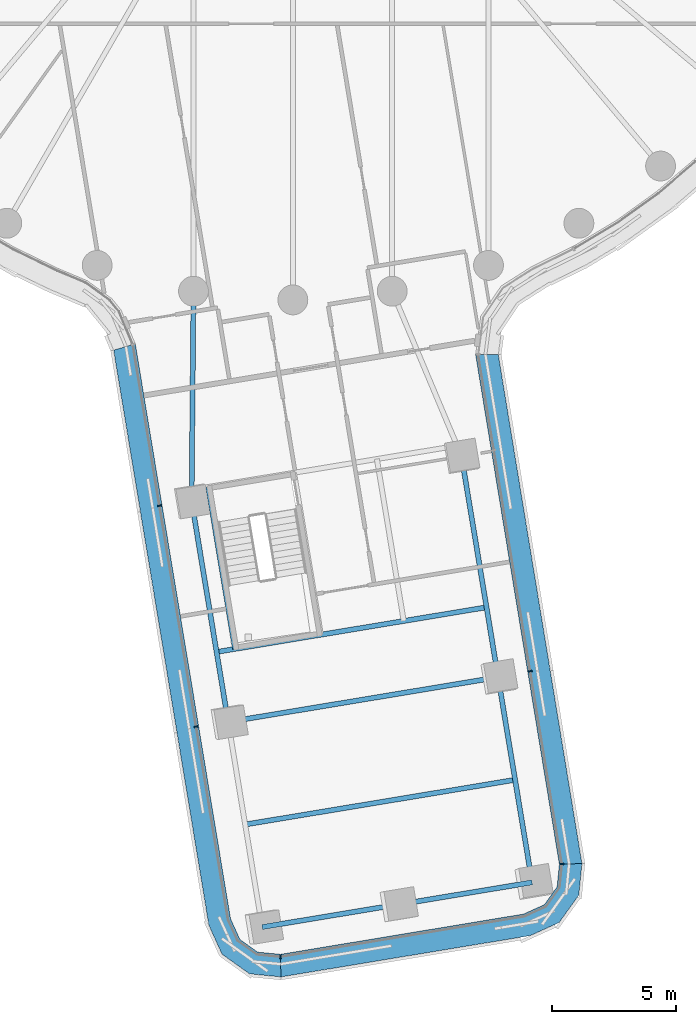
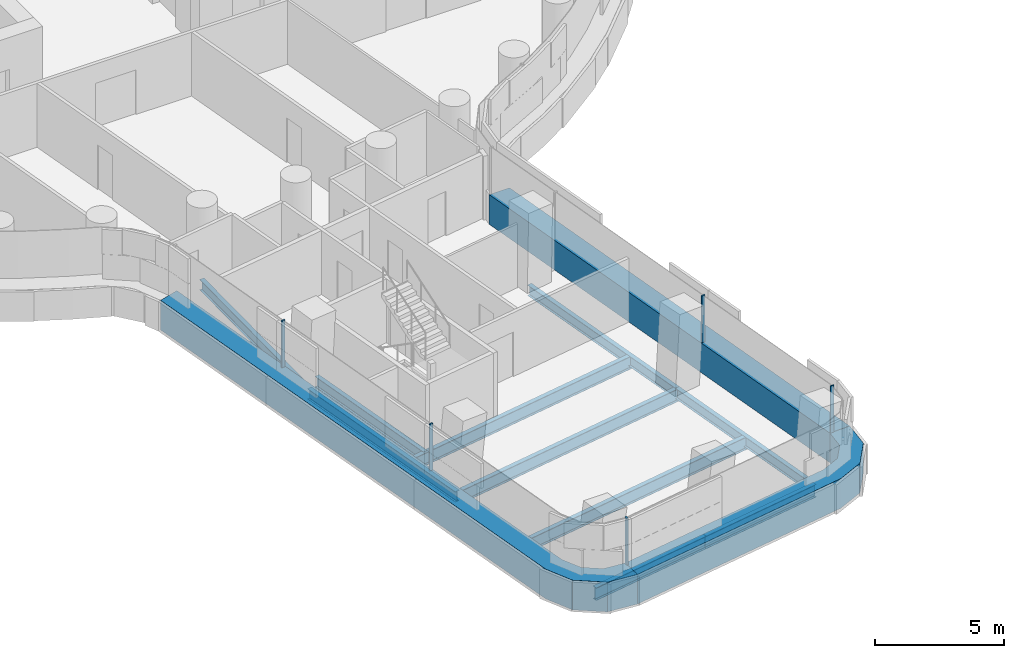
# One storey, part 4 of 32: 10 beams, 8 members, 3 elements without a shape of their own.
"""IFC4 building model written with IfcOpenShell, lengths in metres."""

import ifcopenshell
import ifcopenshell.guid

model = None  # the IFC model being written
_history = None  # IfcOwnerHistory: only IFC2X3 demands one
_inside = {}  # id of a spatial element -> (the spatial element, [elements in it])
_under = {}  # id of a project, library or spatial element -> (it, [spatial elements below it])
_declared = {}  # id of a project -> (the project, [libraries it declares])
_typed = {}  # id of a type object -> (the type object, [elements of that type])
_made_of = {}  # id of a material, layer set ... -> (it, [elements and type objects made of it])


def new_model(schema):
    """Start an empty IFC model of exactly this schema.

    Asked for "IFC4X3", IfcOpenShell would pick the latest addendum, in which some entities
    have other attributes; the version numbers below select the first issue.
    IFC2X3 requires an IfcOwnerHistory on every rooted entity: one is made here for all.
    """
    global model, _history
    if schema == "IFC4X3":
        model = ifcopenshell.file(schema_version=(4, 3, 0, 0))
    else:
        model = ifcopenshell.file(schema=schema)
    _inside.clear()
    _under.clear()
    _declared.clear()
    _typed.clear()
    _made_of.clear()
    _history = None
    if model.schema == "IFC2X3":
        org = make("IfcOrganization", Name="unknown")
        user = make(
            "IfcPersonAndOrganization",
            ThePerson=make("IfcPerson", FamilyName="unknown"),
            TheOrganization=org,
        )
        app = make(
            "IfcApplication",
            ApplicationDeveloper=org,
            Version="unknown",
            ApplicationFullName="unknown",
            ApplicationIdentifier="unknown",
        )
        _history = make(
            "IfcOwnerHistory",
            OwningUser=user,
            OwningApplication=app,
            ChangeAction="ADDED",
            CreationDate=0,
        )
    return model


def make(cls, **values):
    """One entity of the class cls with the attributes given. An attribute that is None is left unset."""
    return model.create_entity(
        cls, **{name: value for name, value in values.items() if value is not None}
    )


def rooted(cls, **values):
    """An entity with a GlobalId (a new one), such as an element, a storey or a relation."""
    return make(cls, GlobalId=ifcopenshell.guid.new(), OwnerHistory=_history, **values)


def si_unit(unit_type, name, prefix=None):
    """IfcSIUnit, for example si_unit("LENGTHUNIT", "METRE", prefix="MILLI")."""
    return make("IfcSIUnit", UnitType=unit_type, Prefix=prefix, Name=name)


def assignment(units):
    """IfcUnitAssignment: the units of a project."""
    return None if units is None else make("IfcUnitAssignment", Units=units)


def point(xyz):
    """IfcCartesianPoint."""
    return None if xyz is None else make("IfcCartesianPoint", Coordinates=xyz)


def direction(xyz):
    """IfcDirection."""
    return None if xyz is None else make("IfcDirection", DirectionRatios=xyz)


def frame(location, z_axis=None, x_axis=None):
    """IfcAxis2Placement3D, a coordinate frame: its origin and axes. An axis left out is left unset."""
    return make(
        "IfcAxis2Placement3D",
        Location=point(location),
        Axis=direction(z_axis),
        RefDirection=direction(x_axis),
    )


def frame_2d(location, x_axis=None):
    """IfcAxis2Placement2D, a coordinate frame in the plane: its origin and x axis."""
    return make(
        "IfcAxis2Placement2D", Location=point(location), RefDirection=direction(x_axis)
    )


def origin():
    """The frame at (0, 0, 0) with its axes left unset."""
    return frame((0.0, 0.0, 0.0))


def origin_2d():
    """The frame at (0, 0) in the plane with its x axis left unset."""
    return frame_2d((0.0, 0.0))


def place(relative_to, where):
    """IfcLocalPlacement: puts the frame where relative to a parent placement (None: the world)."""
    return make(
        "IfcLocalPlacement", PlacementRelTo=relative_to, RelativePlacement=where
    )


def context(
    kind, dimensions, precision=None, world=None, true_north=None, identifier=None
):
    """IfcGeometricRepresentationContext, for example the 3D "Model" context."""
    return make(
        "IfcGeometricRepresentationContext",
        ContextIdentifier=identifier,
        ContextType=kind,
        CoordinateSpaceDimension=dimensions,
        Precision=precision,
        WorldCoordinateSystem=world,
        TrueNorth=true_north,
    )


def subcontext(parent, identifier, kind, view, scale=None):
    """IfcGeometricRepresentationSubContext, for example "Body" below "Model"."""
    return make(
        "IfcGeometricRepresentationSubContext",
        ContextIdentifier=identifier,
        ContextType=kind,
        ParentContext=parent,
        TargetScale=scale,
        TargetView=view,
    )


def project(units=None, contexts=None):
    """IfcProject with its units and contexts."""
    return rooted(
        "IfcProject",
        Name="project",
        RepresentationContexts=contexts,
        UnitsInContext=assignment(units),
    )


def spatial(cls, under=None, at=None, **own):
    """A site, building, storey or space (cls), placed at a placement, below another one or the project."""
    s = rooted(cls, ObjectPlacement=at, **own)
    if under is not None:
        _under.setdefault(under.id(), (under, []))[1].append(s)
    return s


def polyline(points):
    """IfcPolyline through the points."""
    return make("IfcPolyline", Points=[point(p) for p in points])


def profile(cls, at=None, kind="AREA", **sizes):
    """A parametric profile (cls). Its sizes go by their IFC names, for example OverallWidth=200.0."""
    return make(cls, ProfileType=kind, Position=at, **sizes)


def rectangle(**sizes):
    """IfcRectangleProfileDef."""
    return profile("IfcRectangleProfileDef", **sizes)


def i_section(**sizes):
    """IfcIShapeProfileDef."""
    return profile("IfcIShapeProfileDef", **sizes)


def outline(outer, holes=None, kind="AREA"):
    """IfcArbitraryClosedProfileDef: a profile drawn as a closed curve; with holes, ...WithVoids."""
    if holes is None:
        return make("IfcArbitraryClosedProfileDef", ProfileType=kind, OuterCurve=outer)
    return make(
        "IfcArbitraryProfileDefWithVoids",
        ProfileType=kind,
        OuterCurve=outer,
        InnerCurves=holes,
    )


def extrude(swept, where, along, depth):
    """IfcExtrudedAreaSolid: the profile swept, set in the frame where, extruded along a direction by depth."""
    return make(
        "IfcExtrudedAreaSolid",
        SweptArea=swept,
        Position=where,
        ExtrudedDirection=direction(along),
        Depth=depth,
    )


def shape(context_of_items, identifier, shape_type, items):
    """IfcShapeRepresentation: the items that make up one representation, for example the "Body"."""
    return make(
        "IfcShapeRepresentation",
        ContextOfItems=context_of_items,
        RepresentationIdentifier=identifier,
        RepresentationType=shape_type,
        Items=items,
    )


def material(Name=None, Category=None):
    """IfcMaterial."""
    return make("IfcMaterial", Name=Name, Category=Category)


def layer(
    of_material, thickness, ventilated=None, Name=None, Category=None, Priority=None
):
    """IfcMaterialLayer: one layer of a wall or slab, of a material (None: an air gap)."""
    return make(
        "IfcMaterialLayer",
        Material=of_material,
        LayerThickness=thickness,
        IsVentilated=ventilated,
        Name=Name,
        Category=Category,
        Priority=Priority,
    )


def layer_set(layers, Name=None):
    """IfcMaterialLayerSet."""
    return make("IfcMaterialLayerSet", MaterialLayers=layers, LayerSetName=Name)


def material_profile(
    of_material, cross_section, Name=None, Category=None, Priority=None
):
    """IfcMaterialProfile: a cross section and its material."""
    return make(
        "IfcMaterialProfile",
        Name=Name,
        Material=of_material,
        Profile=cross_section,
        Priority=Priority,
        Category=Category,
    )


def profile_set(profiles, Name=None, composite=None):
    """IfcMaterialProfileSet."""
    return make(
        "IfcMaterialProfileSet",
        Name=Name,
        MaterialProfiles=profiles,
        CompositeProfile=composite,
    )


def made_of(thing, what):
    """Note that an element or type object is made of a material, layer set ...; save() writes the relation."""
    if what is not None:
        _made_of.setdefault(what.id(), (what, []))[1].append(thing)
    return thing


def type_object(cls, material=None, **own):
    """A type object (cls), such as IfcWallType, which elements share."""
    return made_of(rooted(cls, **own), material)


def element(
    cls,
    number,
    at=None,
    inside=None,
    cuts=None,
    type_object=None,
    material=None,
    context=None,
    identifier="Body",
    shape_type=None,
    held_by="IfcProductDefinitionShape",
    body=None,
    shapes=None,
    **own,
):
    """One element of the class cls, such as IfcWall. Its Tag is "e" and its number.

    at: its placement. inside: the storey or other place that contains it. cuts: it is an
    opening in that element (IfcRelVoidsElement). A single representation is given by context,
    identifier, shape_type and body (its items); several are given by shapes. held_by: the class
    of the entity that holds the representations. save() writes the other relations.
    """
    e = rooted(cls, Tag="e%d" % number, ObjectPlacement=at, **own)
    if body is not None:
        shapes = [shape(context, identifier, shape_type, body)]
    if shapes is not None:
        e.Representation = make(held_by, Representations=shapes)
    if inside is not None:
        _inside.setdefault(inside.id(), (inside, []))[1].append(e)
    if cuts is not None:
        rooted(
            "IfcRelVoidsElement", RelatingBuildingElement=cuts, RelatedOpeningElement=e
        )
    if type_object is not None:
        _typed.setdefault(type_object.id(), (type_object, []))[1].append(e)
    return made_of(e, material)


def aggregate(whole, parts):
    """IfcRelAggregates: a whole, such as a stair, and the parts it consists of."""
    return rooted("IfcRelAggregates", RelatingObject=whole, RelatedObjects=parts)


def save(model, path):
    """Write the relations noted so far, then the file.

    IfcRelAggregates (storeys below a building ...), IfcRelContainedInSpatialStructure (elements
    in a storey), IfcRelDefinesByType, IfcRelAssociatesMaterial and IfcRelDeclares: one each for
    every whole, place, type object, material and project.
    """
    for whole, parts in _under.values():
        aggregate(whole, parts)
    for where, things in _inside.values():
        rooted(
            "IfcRelContainedInSpatialStructure",
            RelatedElements=things,
            RelatingStructure=where,
        )
    for kind, things in _typed.values():
        rooted("IfcRelDefinesByType", RelatedObjects=things, RelatingType=kind)
    for what, things in _made_of.values():
        rooted("IfcRelAssociatesMaterial", RelatedObjects=things, RelatingMaterial=what)
    for by, libraries in _declared.values():
        rooted("IfcRelDeclares", RelatingContext=by, RelatedDefinitions=libraries)
    model.write(path)


model = new_model("IFC4")

# Units and contexts
model_context = context("Model", 3, precision=1e-05, world=origin(), true_north=direction((0.0, 1.0)))
body_context = subcontext(model_context, "Body", "Model", "MODEL_VIEW")
ifc_project = project(units=[si_unit("LENGTHUNIT", "METRE"), si_unit("AREAUNIT", "SQUARE_METRE"), si_unit("VOLUMEUNIT", "CUBIC_METRE"), si_unit("PLANEANGLEUNIT", "RADIAN"), si_unit("MASSUNIT", "GRAM", prefix="KILO")], contexts=[model_context])

# Site, building, storey
site_placement = place(None, origin())
site = spatial("IfcSite", under=ifc_project, at=site_placement, CompositionType="ELEMENT")
building_placement = place(site_placement, origin())
building = spatial("IfcBuilding", under=site, at=building_placement, Name="Tamarind Cross Interchange Tower", CompositionType="ELEMENT")
storey_placement = place(building_placement, frame((0.0, 0.0, 67.75)))
storey = spatial("IfcBuildingStorey", under=building, at=storey_placement, Name="L15", CompositionType="ELEMENT", Elevation=67.75)

# Beams
ifc_material_1 = material(Name="Steel Q355B", Category="steel")
ifc_material_profile_1 = material_profile(ifc_material_1, i_section(OverallWidth=0.198974609375, OverallDepth=0.49609375, WebThickness=0.009033203125, FlangeThickness=0.013916015625, FilletRadius=0.012939453125, at=origin_2d()), Name="HN 496x199x9x14")
ifc_profile_set_1 = profile_set([ifc_material_profile_1], Name="Steel Q355B")
beam_type_1 = type_object("IfcBeamType", Name="Composite beam HN 496x199x9x14 Q355B", PredefinedType="BEAM", material=ifc_profile_set_1)
beam_1_placement = place(storey_placement, frame((-2.599609375, -39.966064453125, -0.387939453125), z_axis=(-0.163387129554, 0.986562033476, 0.0), x_axis=(-0.986562033476, -0.163387129554, 0.0)))
element("IfcBeam", 1, at=beam_1_placement, inside=storey, type_object=beam_type_1, Name="Beam S-edgeem6", PredefinedType="BEAM", context=body_context, shape_type="SweptSolid", body=[
    extrude(i_section(OverallWidth=0.198974609375, OverallDepth=0.49609375, WebThickness=0.009033203125, FlangeThickness=0.013916015625, FilletRadius=0.012939453125, at=origin_2d()), origin(), (0.0, 0.0, 1.0), 8.999755859375),
])
beam_2_placement = place(storey_placement, frame((9.618408203125, -46.4169921875, -0.387939453125), z_axis=(-0.163357087517, 0.986567008347, 0.0), x_axis=(-0.986567008347, -0.163357087517, 0.0)))
element("IfcBeam", 2, at=beam_2_placement, inside=storey, type_object=beam_type_1, Name="Beam S-edgeep2", PredefinedType="BEAM", context=body_context, shape_type="SweptSolid", body=[
    extrude(i_section(OverallWidth=0.198974609375, OverallDepth=0.49609375, WebThickness=0.009033203125, FlangeThickness=0.013916015625, FilletRadius=0.012939453125, at=origin_2d()), origin(), (0.0, 0.0, 1.0), 8.3603515625),
])
beam_3_placement = place(storey_placement, frame((8.252685546875, -38.1689453125, -0.387939453125), z_axis=(-0.163382756994, 0.986562757617, 0.0), x_axis=(-0.986562757617, -0.163382756994, 0.0)))
element("IfcBeam", 3, at=beam_3_placement, inside=storey, type_object=beam_type_1, Name="Beam S-edgeep3", PredefinedType="BEAM", context=body_context, shape_type="SweptSolid", body=[
    extrude(i_section(OverallWidth=0.198974609375, OverallDepth=0.49609375, WebThickness=0.009033203125, FlangeThickness=0.013916015625, FilletRadius=0.012939453125, at=origin_2d()), origin(), (0.0, 0.0, 1.0), 9.0),
])
beam_4_placement = place(storey_placement, frame((-4.070068359375, -31.087158203125, -0.387939453125), z_axis=(0.00902845479, 0.999959242671, 0.0), x_axis=(-0.999959242671, 0.00902845479, 0.0)))
element("IfcBeam", 4, at=beam_4_placement, inside=storey, type_object=beam_type_1, Name="Beam S-linkem", PredefinedType="BEAM", context=body_context, shape_type="SweptSolid", body=[
    extrude(i_section(OverallWidth=0.198974609375, OverallDepth=0.49609375, WebThickness=0.009033203125, FlangeThickness=0.013916015625, FilletRadius=0.012939453125, at=origin_2d()), origin(), (0.0, 0.0, 1.0), 8.436767578125),
])
beam_5_placement = place(storey_placement, frame((-3.403564453125, -30.5205078125, -0.387939453125), z_axis=(0.163349169452, -0.986568319398, 0.0), x_axis=(0.986568319398, 0.163349169452, 0.0)))
element("IfcBeam", 5, at=beam_5_placement, inside=storey, type_object=beam_type_1, Name="Beam S-tr0", PredefinedType="BEAM", context=body_context, shape_type="SweptSolid", body=[
    extrude(i_section(OverallWidth=0.198974609375, OverallDepth=0.49609375, WebThickness=0.009033203125, FlangeThickness=0.013916015625, FilletRadius=0.012939453125, at=origin_2d()), origin(), (0.0, 0.0, 1.0), 6.60009765625),
])
ifc_material_profile_2 = material_profile(ifc_material_1, i_section(OverallWidth=0.199951171875, OverallDepth=0.60009765625, WebThickness=0.010986328125, FlangeThickness=0.01708984375, FilletRadius=0.012939453125, at=origin_2d()), Name="HN 600x200x11x17")
ifc_profile_set_2 = profile_set([ifc_material_profile_2], Name="Steel Q355B")
beam_type_2 = type_object("IfcBeamType", Name="Composite beam HN 600x200x11x17 Q355B", PredefinedType="BEAM", material=ifc_profile_set_2)
for number, where, z_axis, x_axis, name in (
    (6, (-1.233642578125, -48.214111328125, -0.43994140625), (0.986560177513, 0.163398335812, 0.0), (-0.163398335812, 0.986560177513, 0.0), "Beam S-tip0"),
    (7, (4.1923828125, -47.3154296875, -0.43994140625), (0.986567332333, 0.163355130843, 0.0), (-0.163355130843, 0.986567332333, 0.0), "Beam S-tip1"),
):
    element("IfcBeam", number, at=place(storey_placement, frame(where, z_axis=z_axis, x_axis=x_axis)), inside=storey, type_object=beam_type_2, Name=name, PredefinedType="BEAM", context=body_context, shape_type="SweptSolid", body=[
        extrude(i_section(OverallWidth=0.199951171875, OverallDepth=0.60009765625, WebThickness=0.010986328125, FlangeThickness=0.01708984375, FilletRadius=0.012939453125, at=origin_2d()), origin(), (0.0, 0.0, 1.0), 5.5),
    ])
for number, where, z_axis, x_axis, name in (
    (8, (-3.065185546875, -37.154541015625, -0.43994140625), (0.986560177513, 0.163398335812, 0.0), (-0.163398335812, 0.986560177513, 0.0), "Beam S-x364"),
    (9, (-2.599609375, -39.966064453125, -0.43994140625), (0.986564347553, 0.163373156112, 0.0), (-0.163373156112, 0.986564347553, 0.0), "Beam S-x393"),
    (10, (-1.916748046875, -44.090087890625, -0.43994140625), (0.986564347553, 0.163373156112, 0.0), (-0.163373156112, 0.986564347553, 0.0), "Beam S-x435"),
):
    element("IfcBeam", number, at=place(storey_placement, frame(where, z_axis=z_axis, x_axis=x_axis)), inside=storey, type_object=beam_type_2, Name=name, PredefinedType="BEAM", context=body_context, shape_type="SweptSolid", body=[
        extrude(i_section(OverallWidth=0.199951171875, OverallDepth=0.60009765625, WebThickness=0.010986328125, FlangeThickness=0.01708984375, FilletRadius=0.012939453125, at=origin_2d()), origin(), (0.0, 0.0, 1.0), 11.0),
    ])

# Curtain wall, member
ifc_material_2 = material(Name="Aluminium 6063-T6", Category="aluminium")
ifc_layer = layer(ifc_material_2, 0.159912109375)
ifc_layer_set = layer_set([ifc_layer], Name="Aluminium 6063-T6")
curtain_wall_type = type_object("IfcCurtainWallType", Name="Office curtain wall, 9.0 m bays", PredefinedType="NOTDEFINED", material=ifc_layer_set)
curtain_wall_1_placement = place(storey_placement, origin())
curtain_wall_1 = element("IfcCurtainWall", 11, at=curtain_wall_1_placement, inside=storey, type_object=curtain_wall_type, Name="CWS-L15-07", PredefinedType="NOTDEFINED")
ifc_material_3 = material(Name="Aluminium and insulated spandrel panel", Category="aluminium")
member_type_1 = type_object("IfcMemberType", Name="Floor-edge blade transom", PredefinedType="USERDEFINED", material=ifc_material_3)
member_1_placement = place(storey_placement, origin())
member_1 = element("IfcMember", 12, at=member_1_placement, type_object=member_type_1, Name="CWT-L15-07", ObjectType="TRANSOM", PredefinedType="USERDEFINED", context=body_context, shape_type="SweptSolid", body=[
    extrude(outline(polyline([(-6.3330078125, -24.766845703125), (-2.505615234375, -47.8779296875), (-2.12744140625, -48.71142578125), (-1.41650390625, -49.220458984375), (-0.50537109375, -49.309814453125), (-0.475341796875, -50.217041015625), (-1.744140625, -50.0927734375), (-2.847412109375, -49.302978515625), (-3.374267578125, -48.141845703125), (-7.20361328125, -25.0185546875), (-6.3330078125, -24.766845703125)])), origin(), (0.0, 0.0, 1.0), 1.39990234375),
])

curtain_wall_2_placement = place(storey_placement, origin())
curtain_wall_2 = element("IfcCurtainWall", 13, at=curtain_wall_2_placement, inside=storey, type_object=curtain_wall_type, Name="CWS-L15-08", PredefinedType="NOTDEFINED")
member_2_placement = place(storey_placement, origin())
member_2 = element("IfcMember", 14, at=member_2_placement, type_object=member_type_1, Name="CWT-L15-08", ObjectType="TRANSOM", PredefinedType="USERDEFINED", context=body_context, shape_type="SweptSolid", body=[
    extrude(outline(polyline([(-0.50537109375, -49.309814453125), (9.2822265625, -47.68896484375), (10.115966796875, -47.310791015625), (10.625, -46.599609375), (10.71435546875, -45.6884765625), (11.62158203125, -45.658935546875), (11.4970703125, -46.927490234375), (10.707275390625, -48.03076171875), (9.546142578125, -48.557373046875), (-0.475341796875, -50.217041015625), (-0.50537109375, -49.309814453125)])), origin(), (0.0, 0.0, 1.0), 1.39990234375),
])

curtain_wall_3_placement = place(storey_placement, origin())
curtain_wall_3 = element("IfcCurtainWall", 15, at=curtain_wall_3_placement, inside=storey, type_object=curtain_wall_type, Name="CWS-L15-09", PredefinedType="NOTDEFINED")
member_3_placement = place(storey_placement, origin())
member_3 = element("IfcMember", 16, at=member_3_placement, type_object=member_type_1, Name="CWT-L15-09", ObjectType="TRANSOM", PredefinedType="USERDEFINED", context=body_context, shape_type="SweptSolid", body=[
    extrude(outline(polyline([(10.71435546875, -45.6884765625), (7.347900390625, -25.204345703125), (8.2578125, -25.1904296875), (11.62158203125, -45.658935546875), (10.71435546875, -45.6884765625)])), origin(), (0.0, 0.0, 1.0), 1.39990234375),
])

# Member
ifc_material_profile_3 = material_profile(ifc_material_2, rectangle(XDim=0.06005859375, YDim=0.159912109375, at=origin_2d()), Name="Mullion CW1")
ifc_profile_set_3 = profile_set([ifc_material_profile_3], Name="Aluminium 6063-T6")
member_type_2 = type_object("IfcMemberType", Name="Mullion CW1", PredefinedType="MULLION", material=ifc_profile_set_3)
member_4_placement = place(storey_placement, frame((-5.3564453125, -31.275390625, 1.39990234375), z_axis=(0.0, 0.0, 1.0), x_axis=(0.163381062571, -0.986563038226, 0.0)))
member_4 = element("IfcMember", 17, at=member_4_placement, type_object=member_type_2, Name="CWM-L15-07-01", PredefinedType="MULLION", context=body_context, shape_type="SweptSolid", body=[
    extrude(rectangle(XDim=0.06005859375, YDim=0.159912109375, at=origin_2d()), origin(), (0.0, 0.0, 1.0), 2.210205078125),
])

member_5_placement = place(storey_placement, frame((-3.88623046875, -40.1533203125, 1.39990234375), z_axis=(0.0, 0.0, 1.0), x_axis=(0.163381062571, -0.986563038226, 0.0)))
member_5 = element("IfcMember", 18, at=member_5_placement, type_object=member_type_2, Name="CWM-L15-07-02", PredefinedType="MULLION", context=body_context, shape_type="SweptSolid", body=[
    extrude(rectangle(XDim=0.06005859375, YDim=0.159912109375, at=origin_2d()), origin(), (0.0, 0.0, 1.0), 2.210205078125),
])

aggregate(curtain_wall_1, [member_4, member_5, member_1])

member_6_placement = place(storey_placement, frame((-0.501953125, -49.41064453125, 1.39990234375), z_axis=(0.0, 0.0, 1.0), x_axis=(0.999448362648, 0.033210998167, 0.0)))
member_6 = element("IfcMember", 19, at=member_6_placement, type_object=member_type_2, Name="CWM-L15-08-00", PredefinedType="MULLION", context=body_context, shape_type="SweptSolid", body=[
    extrude(rectangle(XDim=0.06005859375, YDim=0.159912109375, at=origin_2d()), origin(), (0.0, 0.0, 1.0), 2.210205078125),
])

aggregate(curtain_wall_2, [member_6, member_2])

member_7_placement = place(storey_placement, frame((10.81494140625, -45.68505859375, 1.39990234375), z_axis=(0.0, 0.0, 1.0), x_axis=(-0.032594468883, 0.999468659138, 0.0)))
member_7 = element("IfcMember", 20, at=member_7_placement, type_object=member_type_2, Name="CWM-L15-09-00", PredefinedType="MULLION", context=body_context, shape_type="SweptSolid", body=[
    extrude(rectangle(XDim=0.06005859375, YDim=0.159912109375, at=origin_2d()), origin(), (0.0, 0.0, 1.0), 2.210205078125),
])

member_8_placement = place(storey_placement, frame((9.540283203125, -37.927490234375, 1.39990234375), z_axis=(0.0, 0.0, 1.0), x_axis=(-0.162163789482, 0.986763854922, 0.0)))
member_8 = element("IfcMember", 21, at=member_8_placement, type_object=member_type_2, Name="CWM-L15-09-01", PredefinedType="MULLION", context=body_context, shape_type="SweptSolid", body=[
    extrude(rectangle(XDim=0.06005859375, YDim=0.159912109375, at=origin_2d()), origin(), (0.0, 0.0, 1.0), 2.210205078125),
])

aggregate(curtain_wall_3, [member_7, member_8, member_3])

save(model, "model.ifc")
